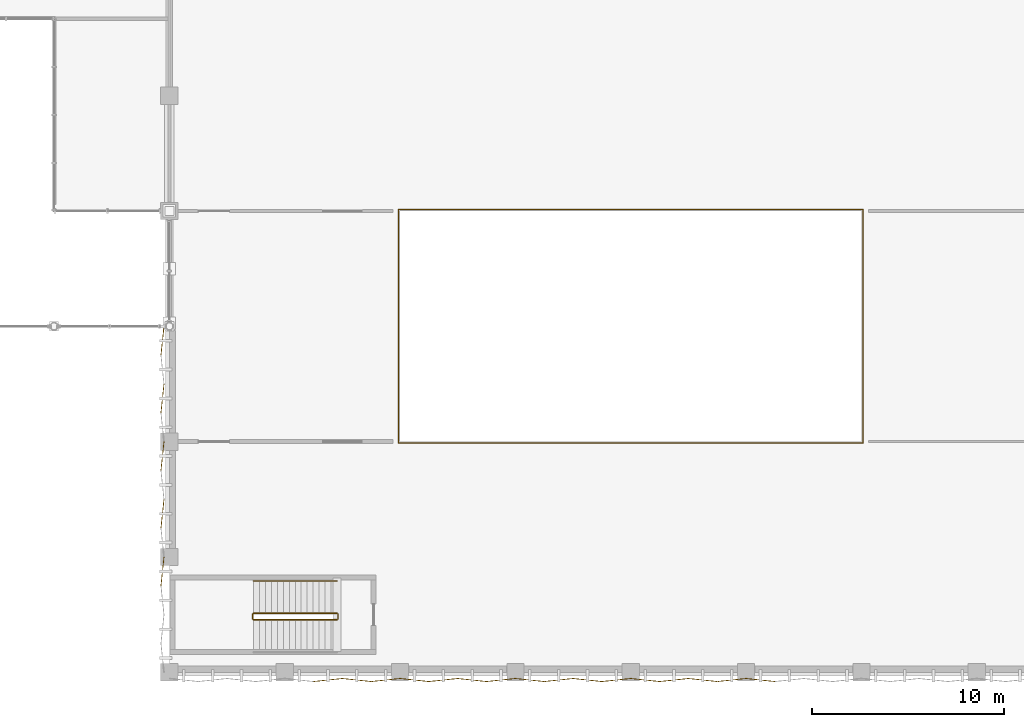
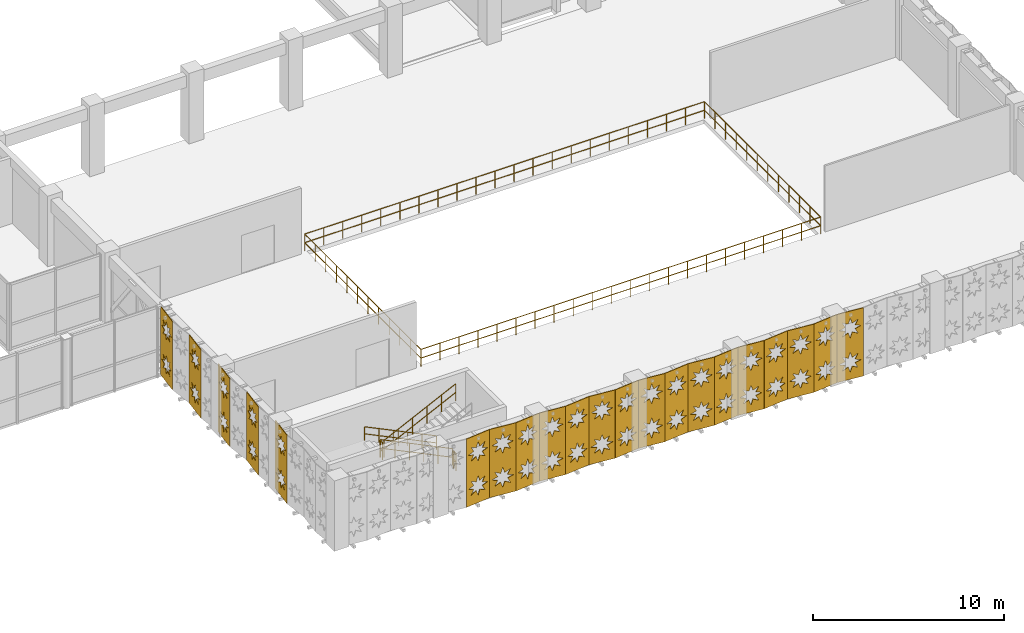
# One storey, part 123 of 133: 21 coverings, 6 railings.
"""IFC4 building model written with IfcOpenShell, lengths in metres."""

from ifc_helpers import new_model, si_unit, direction, frame, origin, origin_2d, place, context, subcontext, project, spatial, polyline, circle, outline, extrude, material, layer, layer_set, type_object, element, save


model = new_model("IFC4")

# Units and contexts
model_context = context("Model", 3, precision=1e-05, world=origin(), true_north=direction((0.0, 1.0)))
body_context = subcontext(model_context, "Body", "Model", "MODEL_VIEW")
ifc_project = project(units=[si_unit("LENGTHUNIT", "METRE"), si_unit("AREAUNIT", "SQUARE_METRE"), si_unit("VOLUMEUNIT", "CUBIC_METRE"), si_unit("PLANEANGLEUNIT", "RADIAN"), si_unit("MASSUNIT", "GRAM", prefix="KILO"), si_unit("THERMODYNAMICTEMPERATUREUNIT", "KELVIN"), si_unit("POWERUNIT", "WATT")], contexts=[model_context])

# Site, building, storey
site_placement = place(None, origin())
site = spatial("IfcSite", under=ifc_project, at=site_placement, CompositionType="ELEMENT")
building_placement = place(site_placement, origin())
building = spatial("IfcBuilding", under=site, at=building_placement, Name="Phaisarnlok Congress Hotel", CompositionType="ELEMENT")
storey_placement = place(building_placement, frame((0.0, 0.0, 6.0)))
storey = spatial("IfcBuildingStorey", under=building, at=storey_placement, Name="L01", CompositionType="ELEMENT", Elevation=6.0)

# Coverings
ifc_material_1 = material(Name="PVDF White Perforated Aluminium Alloy 5052", Category="aluminium")
ifc_layer = layer(ifc_material_1, 0.0400390625, Name="PVDF White Perforated Aluminium Alloy 5052")
ifc_layer_set = layer_set([ifc_layer], Name="PVDF White Perforated Aluminium Alloy 5052")
covering_type = type_object("IfcCoveringType", Name="COV-STAR-FOLD", PredefinedType="CLADDING", material=ifc_layer_set)
for number, where, z_axis, x_axis, name in (
    (1, (103.5, -0.457763671875, 0.06005859375), (0.104566819602, -0.994517863207, 0.0), (0.994517863207, 0.104566819602, 0.0), "Folded star-perforated hall screen SS-02 (V2S L01)"),
    (2, (105.0, -0.300048828125, 0.06005859375), (-0.104566819602, -0.994517863207, 0.0), (0.994517863207, -0.104566819602, 0.0), "Folded star-perforated hall screen SS-02 (V2S L01)"),
    (3, (106.5, -0.457763671875, 0.06005859375), (0.104566819602, -0.994517863207, 0.0), (0.994517863207, 0.104566819602, 0.0), "Folded star-perforated hall screen SS-02 (V2S L01)"),
    (4, (108.0, -0.300048828125, 0.06005859375), (-0.104566819602, -0.994517863207, 0.0), (0.994517863207, -0.104566819602, 0.0), "Folded star-perforated hall screen SS-02 (V2S L01)"),
    (5, (109.5, -0.457763671875, 0.06005859375), (0.104566819602, -0.994517863207, 0.0), (0.994517863207, 0.104566819602, 0.0), "Folded star-perforated hall screen SS-02 (V2S L01)"),
    (6, (111.0, -0.300048828125, 0.06005859375), (-0.104566819602, -0.994517863207, 0.0), (0.994517863207, -0.104566819602, 0.0), "Folded star-perforated hall screen SS-02 (V2S L01)"),
    (7, (112.5, -0.457763671875, 0.06005859375), (0.104566819602, -0.994517863207, 0.0), (0.994517863207, 0.104566819602, 0.0), "Folded star-perforated hall screen SS-02 (V2S L01)"),
    (8, (114.0, -0.300048828125, 0.06005859375), (-0.104566819602, -0.994517863207, 0.0), (0.994517863207, -0.104566819602, 0.0), "Folded star-perforated hall screen SS-02 (V2S L01)"),
    (9, (115.5, -0.457763671875, 0.06005859375), (0.104566819602, -0.994517863207, 0.0), (0.994517863207, 0.104566819602, 0.0), "Folded star-perforated hall screen SS-02 (V2S L01)"),
    (10, (117.0, -0.300048828125, 0.06005859375), (-0.104566819602, -0.994517863207, 0.0), (0.994517863207, -0.104566819602, 0.0), "Folded star-perforated hall screen SS-02 (V2S L01)"),
    (11, (118.5, -0.457763671875, 0.06005859375), (0.104566819602, -0.994517863207, 0.0), (0.994517863207, 0.104566819602, 0.0), "Folded star-perforated hall screen SS-02 (V2S L01)"),
    (12, (120.0, -0.300048828125, 0.06005859375), (-0.104566819602, -0.994517863207, 0.0), (0.994517863207, -0.104566819602, 0.0), "Folded star-perforated hall screen SS-02 (V2S L01)"),
    (13, (121.5, -0.457763671875, 0.06005859375), (0.104566819602, -0.994517863207, 0.0), (0.994517863207, 0.104566819602, 0.0), "Folded star-perforated hall screen SS-02 (V2S L01)"),
    (14, (123.0, -0.300048828125, 0.06005859375), (-0.104566819602, -0.994517863207, 0.0), (0.994517863207, -0.104566819602, 0.0), "Folded star-perforated hall screen SS-02 (V2S L01)"),
    (15, (124.5, -0.457763671875, 0.06005859375), (0.104566819602, -0.994517863207, 0.0), (0.994517863207, 0.104566819602, 0.0), "Folded star-perforated hall screen SS-02 (V2S L01)"),
    (16, (126.0, -0.300048828125, 0.06005859375), (-0.104566819602, -0.994517863207, 0.0), (0.994517863207, -0.104566819602, 0.0), "Folded star-perforated hall screen SS-02 (V2S L01)"),
    (17, (95.542236328125, 4.5, 0.06005859375), (0.994517863207, -0.104566819602, 0.0), (0.104566819602, 0.994517863207, 0.0), "Folded star-perforated hall screen SS-02 (V2W L01)"),
    (18, (95.542236328125, 7.5, 0.06005859375), (0.994517863207, -0.104566819602, 0.0), (0.104566819602, 0.994517863207, 0.0), "Folded star-perforated hall screen SS-02 (V2W L01)"),
    (19, (95.542236328125, 10.5, 0.06005859375), (0.994517863207, -0.104566819602, 0.0), (0.104566819602, 0.994517863207, 0.0), "Folded star-perforated hall screen SS-02 (V2W L01)"),
    (20, (95.542236328125, 13.5, 0.06005859375), (0.994517863207, -0.104566819602, 0.0), (0.104566819602, 0.994517863207, 0.0), "Folded star-perforated hall screen SS-02 (V2W L01)"),
    (21, (95.542236328125, 16.5, 0.06005859375), (0.994517863207, -0.104566819602, 0.0), (0.104566819602, 0.994517863207, 0.0), "Folded star-perforated hall screen SS-02 (V2W L01)"),
):
    element("IfcCovering", number, at=place(storey_placement, frame(where, z_axis=z_axis, x_axis=x_axis)), inside=storey, type_object=covering_type, Name=name, PredefinedType="CLADDING", context=body_context, shape_type="SweptSolid", body=[
        extrude(outline(polyline([(0.0, 0.0), (1.5082685344258453, 0.0), (1.5082685344258453, 4.35986328125), (0.0, 4.35986328125), (0.0, 0.0)]), holes=[polyline([(1.0351, 0.9736), (1.2021, 0.6421), (0.8705, 0.8091), (0.7541, 0.4565), (0.6378, 0.8091), (0.3062, 0.6421), (0.4732, 0.9736), (0.1207, 1.09), (0.4732, 1.2064), (0.3062, 1.5379), (0.6378, 1.3709), (0.7541, 1.7235), (0.8705, 1.3709), (1.2021, 1.5379), (1.0351, 1.2064), (1.3876, 1.09), (1.0351, 0.9736)]), polyline([(1.0351, 3.1536), (1.2021, 2.8221), (0.8705, 2.9891), (0.7541, 2.6365), (0.6378, 2.9891), (0.3062, 2.8221), (0.4732, 3.1536), (0.1207, 3.27), (0.4732, 3.3864), (0.3062, 3.7179), (0.6378, 3.5509), (0.7541, 3.9035), (0.8705, 3.5509), (1.2021, 3.7179), (1.0351, 3.3864), (1.3876, 3.27), (1.0351, 3.1536)])]), origin(), (0.0, 0.0, 1.0), 0.0400390625),
    ])

# Railings
ifc_material_2 = material(Name="Laminated Glass & Stainless Steel Grade 316", Category="steel")
railing_type_1 = type_object("IfcRailingType", Name="RLG-INT-1100", PredefinedType="BALUSTRADE", material=ifc_material_2)
railing_1_placement = place(storey_placement, frame((132.080078125, 11.919921875, 0.0)))
element("IfcRailing", 22, at=railing_1_placement, inside=storey, type_object=railing_type_1, Name="Atrium gallery guard balustrade GD-02 (L01 v2)", PredefinedType="BALUSTRADE", context=body_context, shape_type="SweptSolid", body=[
    extrude(circle(Radius=0.02392578125, at=origin_2d()), frame((0.0, 0.0, 1.076171875), z_axis=(0.0, 1.0, 0.0), x_axis=(-1.0, 0.0, 0.0)), (0.0, 0.0, 1.0), 12.16015625),
    extrude(circle(Radius=0.02392578125, at=origin_2d()), frame((0.0, 0.0, 0.52587890625), z_axis=(0.0, 1.0, 0.0), x_axis=(-1.0, 0.0, 0.0)), (0.0, 0.0, 1.0), 12.16015625),
    extrude(circle(Radius=0.02392578125, at=origin_2d()), frame((0.0, 12.16015625, 1.076171875), z_axis=(-1.0, 0.0, 0.0), x_axis=(0.0, -1.0, 0.0)), (0.0, 0.0, 1.0), 24.16015625),
    extrude(circle(Radius=0.02392578125, at=origin_2d()), frame((0.0, 12.16015625, 0.52587890625), z_axis=(-1.0, 0.0, 0.0), x_axis=(0.0, -1.0, 0.0)), (0.0, 0.0, 1.0), 24.16015625),
    extrude(circle(Radius=0.02392578125, at=origin_2d()), frame((-24.16015625, 12.16015625, 1.076171875), z_axis=(0.0, -1.0, 0.0), x_axis=(1.0, 0.0, 0.0)), (0.0, 0.0, 1.0), 12.16015625),
    extrude(circle(Radius=0.02392578125, at=origin_2d()), frame((-24.16015625, 12.16015625, 0.52587890625), z_axis=(0.0, -1.0, 0.0), x_axis=(1.0, 0.0, 0.0)), (0.0, 0.0, 1.0), 12.16015625),
    extrude(circle(Radius=0.02392578125, at=origin_2d()), frame((-24.16015625, 0.0, 1.076171875), z_axis=(1.0, 0.0, 0.0), x_axis=(0.0, 1.0, 0.0)), (0.0, 0.0, 1.0), 24.16015625),
    extrude(circle(Radius=0.02392578125, at=origin_2d()), frame((-24.16015625, 0.0, 0.52587890625), z_axis=(1.0, 0.0, 0.0), x_axis=(0.0, 1.0, 0.0)), (0.0, 0.0, 1.0), 24.16015625),
    extrude(circle(Radius=0.02099609375, at=origin_2d()), origin(), (0.0, 0.0, 1.0), 1.052001953125),
    extrude(circle(Radius=0.02099609375, at=origin_2d()), frame((0.0, 1.10546875, 0.0)), (0.0, 0.0, 1.0), 1.052001953125),
    extrude(circle(Radius=0.02099609375, at=origin_2d()), frame((0.0, 2.2109375, 0.0)), (0.0, 0.0, 1.0), 1.052001953125),
    extrude(circle(Radius=0.02099609375, at=origin_2d()), frame((0.0, 3.31640625, 0.0)), (0.0, 0.0, 1.0), 1.052001953125),
    extrude(circle(Radius=0.02099609375, at=origin_2d()), frame((0.0, 4.421875, 0.0)), (0.0, 0.0, 1.0), 1.052001953125),
    extrude(circle(Radius=0.02099609375, at=origin_2d()), frame((0.0, 5.52734375, 0.0)), (0.0, 0.0, 1.0), 1.052001953125),
    extrude(circle(Radius=0.02099609375, at=origin_2d()), frame((0.0, 6.6328125, 0.0)), (0.0, 0.0, 1.0), 1.052001953125),
    extrude(circle(Radius=0.02099609375, at=origin_2d()), frame((0.0, 7.73828125, 0.0)), (0.0, 0.0, 1.0), 1.052001953125),
    extrude(circle(Radius=0.02099609375, at=origin_2d()), frame((0.0, 8.84375, 0.0)), (0.0, 0.0, 1.0), 1.052001953125),
    extrude(circle(Radius=0.02099609375, at=origin_2d()), frame((0.0, 9.94921875, 0.0)), (0.0, 0.0, 1.0), 1.052001953125),
    extrude(circle(Radius=0.02099609375, at=origin_2d()), frame((0.0, 11.0546875, 0.0)), (0.0, 0.0, 1.0), 1.052001953125),
    extrude(circle(Radius=0.02099609375, at=origin_2d()), frame((0.0, 12.16015625, 0.0)), (0.0, 0.0, 1.0), 1.052001953125),
    extrude(circle(Radius=0.02099609375, at=origin_2d()), frame((-1.150390625, 12.16015625, 0.0)), (0.0, 0.0, 1.0), 1.052001953125),
    extrude(circle(Radius=0.02099609375, at=origin_2d()), frame((-2.301025390625, 12.16015625, 0.0)), (0.0, 0.0, 1.0), 1.052001953125),
    extrude(circle(Radius=0.02099609375, at=origin_2d()), frame((-3.451416015625, 12.16015625, 0.0)), (0.0, 0.0, 1.0), 1.052001953125),
    extrude(circle(Radius=0.02099609375, at=origin_2d()), frame((-4.60205078125, 12.16015625, 0.0)), (0.0, 0.0, 1.0), 1.052001953125),
    extrude(circle(Radius=0.02099609375, at=origin_2d()), frame((-5.75244140625, 12.16015625, 0.0)), (0.0, 0.0, 1.0), 1.052001953125),
    extrude(circle(Radius=0.02099609375, at=origin_2d()), frame((-6.90283203125, 12.16015625, 0.0)), (0.0, 0.0, 1.0), 1.052001953125),
    extrude(circle(Radius=0.02099609375, at=origin_2d()), frame((-8.053466796875, 12.16015625, 0.0)), (0.0, 0.0, 1.0), 1.052001953125),
    extrude(circle(Radius=0.02099609375, at=origin_2d()), frame((-9.203857421875, 12.16015625, 0.0)), (0.0, 0.0, 1.0), 1.052001953125),
    extrude(circle(Radius=0.02099609375, at=origin_2d()), frame((-10.354248046875, 12.16015625, 0.0)), (0.0, 0.0, 1.0), 1.052001953125),
    extrude(circle(Radius=0.02099609375, at=origin_2d()), frame((-11.5048828125, 12.16015625, 0.0)), (0.0, 0.0, 1.0), 1.052001953125),
    extrude(circle(Radius=0.02099609375, at=origin_2d()), frame((-12.6552734375, 12.16015625, 0.0)), (0.0, 0.0, 1.0), 1.052001953125),
    extrude(circle(Radius=0.02099609375, at=origin_2d()), frame((-13.805908203125, 12.16015625, 0.0)), (0.0, 0.0, 1.0), 1.052001953125),
    extrude(circle(Radius=0.02099609375, at=origin_2d()), frame((-14.956298828125, 12.16015625, 0.0)), (0.0, 0.0, 1.0), 1.052001953125),
    extrude(circle(Radius=0.02099609375, at=origin_2d()), frame((-16.106689453125, 12.16015625, 0.0)), (0.0, 0.0, 1.0), 1.052001953125),
    extrude(circle(Radius=0.02099609375, at=origin_2d()), frame((-17.25732421875, 12.16015625, 0.0)), (0.0, 0.0, 1.0), 1.052001953125),
    extrude(circle(Radius=0.02099609375, at=origin_2d()), frame((-18.40771484375, 12.16015625, 0.0)), (0.0, 0.0, 1.0), 1.052001953125),
    extrude(circle(Radius=0.02099609375, at=origin_2d()), frame((-19.55810546875, 12.16015625, 0.0)), (0.0, 0.0, 1.0), 1.052001953125),
    extrude(circle(Radius=0.02099609375, at=origin_2d()), frame((-20.708740234375, 12.16015625, 0.0)), (0.0, 0.0, 1.0), 1.052001953125),
    extrude(circle(Radius=0.02099609375, at=origin_2d()), frame((-21.859130859375, 12.16015625, 0.0)), (0.0, 0.0, 1.0), 1.052001953125),
    extrude(circle(Radius=0.02099609375, at=origin_2d()), frame((-23.009765625, 12.16015625, 0.0)), (0.0, 0.0, 1.0), 1.052001953125),
    extrude(circle(Radius=0.02099609375, at=origin_2d()), frame((-24.16015625, 12.16015625, 0.0)), (0.0, 0.0, 1.0), 1.052001953125),
    extrude(circle(Radius=0.02099609375, at=origin_2d()), frame((-24.16015625, 11.0546875, 0.0)), (0.0, 0.0, 1.0), 1.052001953125),
    extrude(circle(Radius=0.02099609375, at=origin_2d()), frame((-24.16015625, 9.94921875, 0.0)), (0.0, 0.0, 1.0), 1.052001953125),
    extrude(circle(Radius=0.02099609375, at=origin_2d()), frame((-24.16015625, 8.84375, 0.0)), (0.0, 0.0, 1.0), 1.052001953125),
    extrude(circle(Radius=0.02099609375, at=origin_2d()), frame((-24.16015625, 7.73828125, 0.0)), (0.0, 0.0, 1.0), 1.052001953125),
    extrude(circle(Radius=0.02099609375, at=origin_2d()), frame((-24.16015625, 6.6328125, 0.0)), (0.0, 0.0, 1.0), 1.052001953125),
    extrude(circle(Radius=0.02099609375, at=origin_2d()), frame((-24.16015625, 5.52734375, 0.0)), (0.0, 0.0, 1.0), 1.052001953125),
    extrude(circle(Radius=0.02099609375, at=origin_2d()), frame((-24.16015625, 4.421875, 0.0)), (0.0, 0.0, 1.0), 1.052001953125),
    extrude(circle(Radius=0.02099609375, at=origin_2d()), frame((-24.16015625, 3.31640625, 0.0)), (0.0, 0.0, 1.0), 1.052001953125),
    extrude(circle(Radius=0.02099609375, at=origin_2d()), frame((-24.16015625, 2.2109375, 0.0)), (0.0, 0.0, 1.0), 1.052001953125),
    extrude(circle(Radius=0.02099609375, at=origin_2d()), frame((-24.16015625, 1.10546875, 0.0)), (0.0, 0.0, 1.0), 1.052001953125),
    extrude(circle(Radius=0.02099609375, at=origin_2d()), frame((-24.16015625, 0.0, 0.0)), (0.0, 0.0, 1.0), 1.052001953125),
    extrude(circle(Radius=0.02099609375, at=origin_2d()), frame((-23.009765625, 0.0, 0.0)), (0.0, 0.0, 1.0), 1.052001953125),
    extrude(circle(Radius=0.02099609375, at=origin_2d()), frame((-21.859130859375, 0.0, 0.0)), (0.0, 0.0, 1.0), 1.052001953125),
    extrude(circle(Radius=0.02099609375, at=origin_2d()), frame((-20.708740234375, 0.0, 0.0)), (0.0, 0.0, 1.0), 1.052001953125),
    extrude(circle(Radius=0.02099609375, at=origin_2d()), frame((-19.55810546875, 0.0, 0.0)), (0.0, 0.0, 1.0), 1.052001953125),
    extrude(circle(Radius=0.02099609375, at=origin_2d()), frame((-18.40771484375, 0.0, 0.0)), (0.0, 0.0, 1.0), 1.052001953125),
    extrude(circle(Radius=0.02099609375, at=origin_2d()), frame((-17.25732421875, 0.0, 0.0)), (0.0, 0.0, 1.0), 1.052001953125),
    extrude(circle(Radius=0.02099609375, at=origin_2d()), frame((-16.106689453125, 0.0, 0.0)), (0.0, 0.0, 1.0), 1.052001953125),
    extrude(circle(Radius=0.02099609375, at=origin_2d()), frame((-14.956298828125, 0.0, 0.0)), (0.0, 0.0, 1.0), 1.052001953125),
    extrude(circle(Radius=0.02099609375, at=origin_2d()), frame((-13.805908203125, 0.0, 0.0)), (0.0, 0.0, 1.0), 1.052001953125),
    extrude(circle(Radius=0.02099609375, at=origin_2d()), frame((-12.6552734375, 0.0, 0.0)), (0.0, 0.0, 1.0), 1.052001953125),
    extrude(circle(Radius=0.02099609375, at=origin_2d()), frame((-11.5048828125, 0.0, 0.0)), (0.0, 0.0, 1.0), 1.052001953125),
    extrude(circle(Radius=0.02099609375, at=origin_2d()), frame((-10.354248046875, 0.0, 0.0)), (0.0, 0.0, 1.0), 1.052001953125),
    extrude(circle(Radius=0.02099609375, at=origin_2d()), frame((-9.203857421875, 0.0, 0.0)), (0.0, 0.0, 1.0), 1.052001953125),
    extrude(circle(Radius=0.02099609375, at=origin_2d()), frame((-8.053466796875, 0.0, 0.0)), (0.0, 0.0, 1.0), 1.052001953125),
    extrude(circle(Radius=0.02099609375, at=origin_2d()), frame((-6.90283203125, 0.0, 0.0)), (0.0, 0.0, 1.0), 1.052001953125),
    extrude(circle(Radius=0.02099609375, at=origin_2d()), frame((-5.75244140625, 0.0, 0.0)), (0.0, 0.0, 1.0), 1.052001953125),
    extrude(circle(Radius=0.02099609375, at=origin_2d()), frame((-4.60205078125, 0.0, 0.0)), (0.0, 0.0, 1.0), 1.052001953125),
    extrude(circle(Radius=0.02099609375, at=origin_2d()), frame((-3.451416015625, 0.0, 0.0)), (0.0, 0.0, 1.0), 1.052001953125),
    extrude(circle(Radius=0.02099609375, at=origin_2d()), frame((-2.301025390625, 0.0, 0.0)), (0.0, 0.0, 1.0), 1.052001953125),
    extrude(circle(Radius=0.02099609375, at=origin_2d()), frame((-1.150390625, 0.0, 0.0)), (0.0, 0.0, 1.0), 1.052001953125),
])
ifc_material_3 = material(Name="Painted Galvanised Steel S275", Category="steel")
railing_type_2 = type_object("IfcRailingType", Name="RLG-STR-GUARD", PredefinedType="BALUSTRADE", material=ifc_material_3)
railing_2_placement = place(storey_placement, frame((104.719970703125, 3.070068359375, 0.14990234375)))
element("IfcRailing", 23, at=railing_2_placement, inside=storey, type_object=railing_type_2, Name="L01 ST-04 stair guard 1", PredefinedType="BALUSTRADE", context=body_context, shape_type="SweptSolid", body=[
    extrude(circle(Radius=0.02392578125, at=origin_2d()), frame((0.0, 0.0, 1.076171875), z_axis=(-0.900154768424, 0.0, 0.435570192832), x_axis=(0.0, -1.0, 0.0)), (0.0, 0.0, 1.0), 4.821533203125),
    extrude(circle(Radius=0.02392578125, at=origin_2d()), frame((0.0, 0.0, 0.52587890625), z_axis=(-0.900154768424, 0.0, 0.435570192832), x_axis=(0.0, -1.0, 0.0)), (0.0, 0.0, 1.0), 4.821533203125),
    extrude(circle(Radius=0.02099609375, at=origin_2d()), origin(), (0.0, 0.0, 1.0), 1.052001953125),
    extrude(circle(Radius=0.02099609375, at=origin_2d()), frame((-0.867919921875, 0.0, 0.419921875)), (0.0, 0.0, 1.0), 1.052001953125),
    extrude(circle(Radius=0.02099609375, at=origin_2d()), frame((-1.736083984375, 0.0, 0.840087890625)), (0.0, 0.0, 1.0), 1.052001953125),
    extrude(circle(Radius=0.02099609375, at=origin_2d()), frame((-2.60400390625, 0.0, 1.260009765625)), (0.0, 0.0, 1.0), 1.052001953125),
    extrude(circle(Radius=0.02099609375, at=origin_2d()), frame((-3.47216796875, 0.0, 1.68017578125)), (0.0, 0.0, 1.0), 1.052001953125),
    extrude(circle(Radius=0.02099609375, at=origin_2d()), frame((-4.340087890625, 0.0, 2.10009765625)), (0.0, 0.0, 1.0), 1.052001953125),
])
railing_3_placement = place(storey_placement, frame((100.330078125, 3.02001953125, 2.25)))
element("IfcRailing", 24, at=railing_3_placement, inside=storey, type_object=railing_type_2, Name="L01 ST-04 stair guard 2", PredefinedType="BALUSTRADE", context=body_context, shape_type="SweptSolid", body=[
    extrude(circle(Radius=0.02392578125, at=origin_2d()), frame((0.0, 0.0, 1.076171875), z_axis=(0.0, -1.0, 0.0), x_axis=(1.0, 0.0, 0.0)), (0.0, 0.0, 1.0), 0.239990234375),
    extrude(circle(Radius=0.02392578125, at=origin_2d()), frame((0.0, 0.0, 0.52587890625), z_axis=(0.0, -1.0, 0.0), x_axis=(1.0, 0.0, 0.0)), (0.0, 0.0, 1.0), 0.239990234375),
    extrude(circle(Radius=0.02099609375, at=origin_2d()), origin(), (0.0, 0.0, 1.0), 1.052001953125),
    extrude(circle(Radius=0.02099609375, at=origin_2d()), frame((0.0, -0.239990234375, 0.0)), (0.0, 0.0, 1.0), 1.052001953125),
])
railing_4_placement = place(storey_placement, frame((100.3798828125, 2.72998046875, 2.39990234375)))
element("IfcRailing", 25, at=railing_4_placement, inside=storey, type_object=railing_type_2, Name="L01 ST-04 stair guard 3", PredefinedType="BALUSTRADE", context=body_context, shape_type="SweptSolid", body=[
    extrude(circle(Radius=0.02392578125, at=origin_2d()), frame((0.0, 0.0, 1.076171875), z_axis=(0.900154768424, 0.0, 0.435570192832), x_axis=(0.0, 1.0, 0.0)), (0.0, 0.0, 1.0), 4.821533203125),
    extrude(circle(Radius=0.02392578125, at=origin_2d()), frame((0.0, 0.0, 0.52587890625), z_axis=(0.900154768424, 0.0, 0.435570192832), x_axis=(0.0, 1.0, 0.0)), (0.0, 0.0, 1.0), 4.821533203125),
    extrude(circle(Radius=0.02099609375, at=origin_2d()), origin(), (0.0, 0.0, 1.0), 1.052001953125),
    extrude(circle(Radius=0.02099609375, at=origin_2d()), frame((0.867919921875, 0.0, 0.419921875)), (0.0, 0.0, 1.0), 1.052001953125),
    extrude(circle(Radius=0.02099609375, at=origin_2d()), frame((1.736083984375, 0.0, 0.840087890625)), (0.0, 0.0, 1.0), 1.052001953125),
    extrude(circle(Radius=0.02099609375, at=origin_2d()), frame((2.60400390625, 0.0, 1.260009765625)), (0.0, 0.0, 1.0), 1.052001953125),
    extrude(circle(Radius=0.02099609375, at=origin_2d()), frame((3.47216796875, 0.0, 1.68017578125)), (0.0, 0.0, 1.0), 1.052001953125),
    extrude(circle(Radius=0.02099609375, at=origin_2d()), frame((4.340087890625, 0.0, 2.10009765625)), (0.0, 0.0, 1.0), 1.052001953125),
])
railing_5_placement = place(storey_placement, frame((104.77001953125, 3.02001953125, 0.0)))
element("IfcRailing", 26, at=railing_5_placement, inside=storey, type_object=railing_type_2, Name="L01 ST-04 stair guard 4", PredefinedType="BALUSTRADE", context=body_context, shape_type="SweptSolid", body=[
    extrude(circle(Radius=0.02392578125, at=origin_2d()), frame((0.0, 0.0, 1.076171875), z_axis=(0.0, -1.0, 0.0), x_axis=(1.0, 0.0, 0.0)), (0.0, 0.0, 1.0), 0.239990234375),
    extrude(circle(Radius=0.02392578125, at=origin_2d()), frame((0.0, 0.0, 0.52587890625), z_axis=(0.0, -1.0, 0.0), x_axis=(1.0, 0.0, 0.0)), (0.0, 0.0, 1.0), 0.239990234375),
    extrude(circle(Radius=0.02099609375, at=origin_2d()), origin(), (0.0, 0.0, 1.0), 1.052001953125),
    extrude(circle(Radius=0.02099609375, at=origin_2d()), frame((0.0, -0.239990234375, 0.0)), (0.0, 0.0, 1.0), 1.052001953125),
])
ifc_material_4 = material(Name="Brushed Stainless Steel Grade 304", Category="steel")
railing_type_3 = type_object("IfcRailingType", Name="RLG-STR-HRAIL", PredefinedType="HANDRAIL", material=ifc_material_4)
railing_6_placement = place(storey_placement, frame((104.719970703125, 4.75, 0.14990234375)))
element("IfcRailing", 27, at=railing_6_placement, inside=storey, type_object=railing_type_3, Name="L01 ST-04 stair handrail 1", PredefinedType="HANDRAIL", context=body_context, shape_type="SweptSolid", body=[
    extrude(circle(Radius=0.02392578125, at=origin_2d()), frame((0.0, 0.0, 0.8759765625), z_axis=(-0.900154768424, 0.0, 0.435570192832), x_axis=(0.0, -1.0, 0.0)), (0.0, 0.0, 1.0), 4.821533203125),
    extrude(circle(Radius=0.02392578125, at=origin_2d()), frame((0.0, 0.0, 0.42578125), z_axis=(-0.900154768424, 0.0, 0.435570192832), x_axis=(0.0, -1.0, 0.0)), (0.0, 0.0, 1.0), 4.821533203125),
    extrude(circle(Radius=0.02099609375, at=origin_2d()), origin(), (0.0, 0.0, 1.0), 0.851806640625),
    extrude(circle(Radius=0.02099609375, at=origin_2d()), frame((-0.867919921875, 0.0, 0.419921875)), (0.0, 0.0, 1.0), 0.851806640625),
    extrude(circle(Radius=0.02099609375, at=origin_2d()), frame((-1.736083984375, 0.0, 0.840087890625)), (0.0, 0.0, 1.0), 0.851806640625),
    extrude(circle(Radius=0.02099609375, at=origin_2d()), frame((-2.60400390625, 0.0, 1.260009765625)), (0.0, 0.0, 1.0), 0.851806640625),
    extrude(circle(Radius=0.02099609375, at=origin_2d()), frame((-3.47216796875, 0.0, 1.68017578125)), (0.0, 0.0, 1.0), 0.851806640625),
    extrude(circle(Radius=0.02099609375, at=origin_2d()), frame((-4.340087890625, 0.0, 2.10009765625)), (0.0, 0.0, 1.0), 0.851806640625),
])

save(model, "model.ifc")
